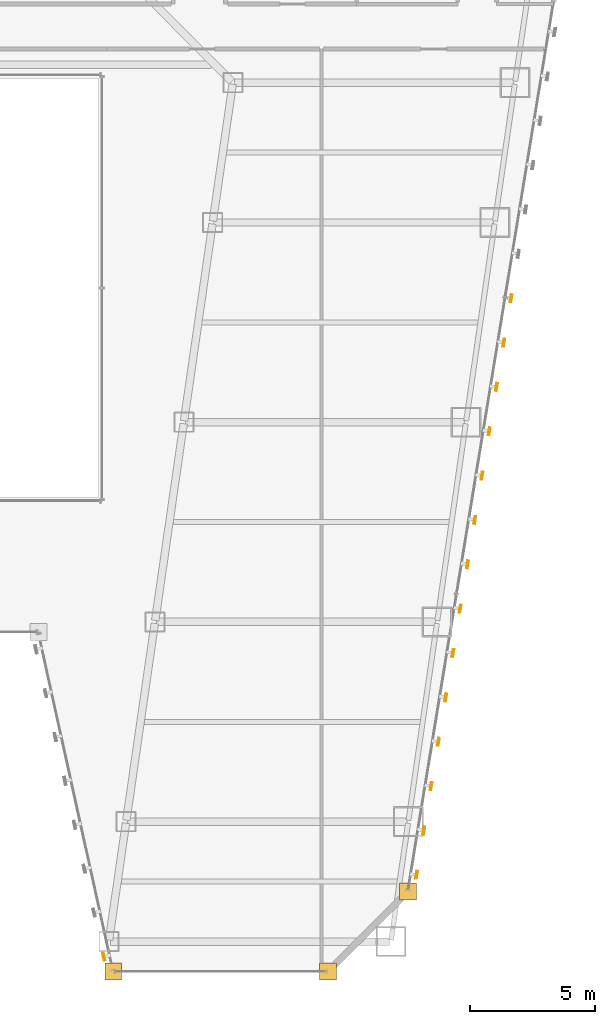
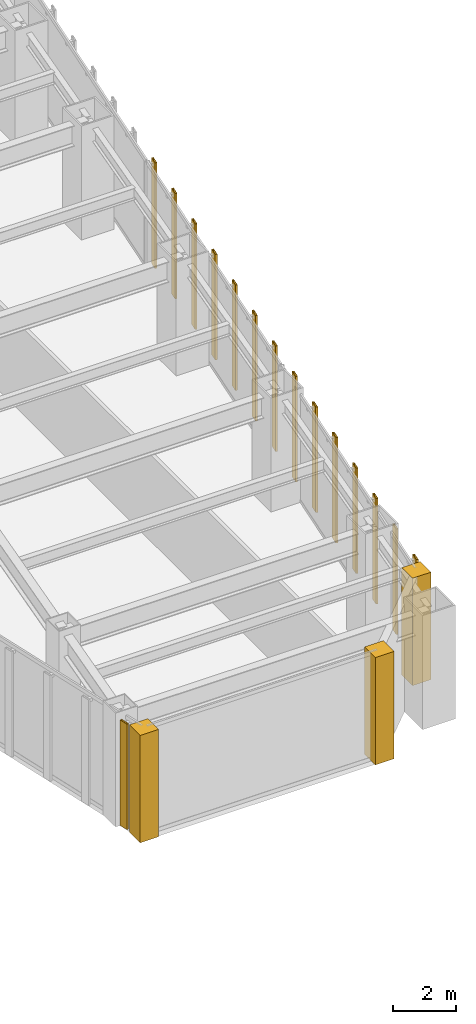
# One storey, part 44 of 47: 15 shading devices, 3 coverings.
"""IFC4 building model written with IfcOpenShell, lengths in metres."""

from ifc_helpers import new_model, si_unit, direction, frame, origin, origin_2d, place, context, subcontext, project, spatial, polyline, hollow_rectangle, outline, extrude, material, layer, layer_set, material_profile, profile_set, type_object, element, save


model = new_model("IFC4")

# Units and contexts
model_context = context("Model", 3, precision=1e-05, world=origin(), true_north=direction((0.0, 1.0)))
body_context = subcontext(model_context, "Body", "Model", "MODEL_VIEW")
ifc_project = project(units=[si_unit("LENGTHUNIT", "METRE"), si_unit("AREAUNIT", "SQUARE_METRE"), si_unit("VOLUMEUNIT", "CUBIC_METRE"), si_unit("PLANEANGLEUNIT", "RADIAN"), si_unit("MASSUNIT", "GRAM", prefix="KILO")], contexts=[model_context])

# Site, building, storey
site_placement = place(None, origin())
site = spatial("IfcSite", under=ifc_project, at=site_placement, CompositionType="ELEMENT")
building_placement = place(site_placement, origin())
building = spatial("IfcBuilding", under=site, at=building_placement, Name="Saevonmaru Cultural Tower", CompositionType="ELEMENT")
storey_placement = place(building_placement, frame((0.0, 0.0, 78.0)))
storey = spatial("IfcBuildingStorey", under=building, at=storey_placement, Name="L16", CompositionType="ELEMENT", Elevation=78.0)

# Coverings
ifc_material = material(Name="Satin Bronze Anodised Aluminium", Category="aluminium")
ifc_layer = layer(ifc_material, 0.679931640625, Name="Satin Bronze Anodised Aluminium")
ifc_layer_set = layer_set([ifc_layer], Name="Satin Bronze Anodised Aluminium")
covering_type = type_object("IfcCoveringType", Name="CV-CORNER-CLAD", PredefinedType="CLADDING", material=ifc_layer_set)
covering_1_placement = place(storey_placement, origin())
element("IfcCovering", 1, at=covering_1_placement, inside=storey, type_object=covering_type, Name="L16 Tower Bronze Corner Cladding Pier 6", PredefinedType="CLADDING", context=body_context, shape_type="SweptSolid", body=[
    extrude(outline(polyline([(36.06005859375, 1.659912109375), (36.739990234375, 1.659912109375), (36.739990234375, 2.340087890625), (36.06005859375, 2.340087890625), (36.06005859375, 1.659912109375)])), origin(), (0.0, 0.0, 1.0), 4.14990234375),
])
covering_2_placement = place(storey_placement, origin())
element("IfcCovering", 2, at=covering_2_placement, inside=storey, type_object=covering_type, Name="L16 Tower Bronze Corner Cladding Pier 7", PredefinedType="CLADDING", context=body_context, shape_type="SweptSolid", body=[
    extrude(outline(polyline([(44.659912109375, 1.659912109375), (45.340087890625, 1.659912109375), (45.340087890625, 2.340087890625), (44.659912109375, 2.340087890625), (44.659912109375, 1.659912109375)])), origin(), (0.0, 0.0, 1.0), 4.14990234375),
])
covering_3_placement = place(storey_placement, origin())
element("IfcCovering", 3, at=covering_3_placement, inside=storey, type_object=covering_type, Name="L16 Tower Bronze Corner Cladding Pier 8", PredefinedType="CLADDING", context=body_context, shape_type="SweptSolid", body=[
    extrude(outline(polyline([(47.860107421875, 4.860107421875), (48.5400390625, 4.860107421875), (48.5400390625, 5.5400390625), (47.860107421875, 5.5400390625), (47.860107421875, 4.860107421875)])), origin(), (0.0, 0.0, 1.0), 4.14990234375),
])

# Shading devices
ifc_material_profile = material_profile(ifc_material, hollow_rectangle(XDim=0.070068359375, YDim=0.320068359375, WallThickness=0.0048828125, at=origin_2d()), Name="FIN-320x70")
ifc_profile_set = profile_set([ifc_material_profile], Name="Satin Bronze Anodised Aluminium")
shading_device_type = type_object("IfcShadingDeviceType", Name="SHD-FIN-320", PredefinedType="JALOUSIE", material=ifc_profile_set)
for number, where, z_axis, x_axis, name in (
    (4, (36.022705078125, 2.59619140625, 0.050048828125), (0.0, 0.0, 1.0), (-0.976522126798, -0.215417120661, 0.0), "L16 Art Deco Sawtooth Bronze Fin E5-08"),
    (5, (48.552978515625, 5.869140625, 0.050048828125), (0.0, 0.0, 1.0), (0.986827496189, -0.161776057456, 0.0), "L16 Art Deco Sawtooth Bronze Fin E8-01"),
    (6, (48.843994140625, 7.6455078125, 0.050048828125), (0.0, 0.0, 1.0), (0.986827496189, -0.161776057456, 0.0), "L16 Art Deco Sawtooth Bronze Fin E8-02"),
    (7, (49.135009765625, 9.421875, 0.050048828125), (0.0, 0.0, 1.0), (0.986827496189, -0.161776057456, 0.0), "L16 Art Deco Sawtooth Bronze Fin E8-03"),
    (8, (49.426025390625, 11.197998046875, 0.050048828125), (0.0, 0.0, 1.0), (0.986827496189, -0.161776057456, 0.0), "L16 Art Deco Sawtooth Bronze Fin E8-04"),
    (9, (49.71728515625, 12.974365234375, 0.050048828125), (0.0, 0.0, 1.0), (0.986827496189, -0.161776057456, 0.0), "L16 Art Deco Sawtooth Bronze Fin E8-05"),
    (10, (50.00830078125, 14.750732421875, 0.050048828125), (0.0, 0.0, 1.0), (0.986827496189, -0.161776057456, 0.0), "L16 Art Deco Sawtooth Bronze Fin E8-06"),
    (11, (50.29931640625, 16.527099609375, 0.050048828125), (0.0, 0.0, 1.0), (0.986827496189, -0.161776057456, 0.0), "L16 Art Deco Sawtooth Bronze Fin E8-07"),
    (12, (50.59033203125, 18.30322265625, 0.050048828125), (0.0, 0.0, 1.0), (0.986827496189, -0.161776057456, 0.0), "L16 Art Deco Sawtooth Bronze Fin E8-08"),
    (13, (50.881591796875, 20.07958984375, 0.050048828125), (0.0, 0.0, 1.0), (0.986827496189, -0.161776057456, 0.0), "L16 Art Deco Sawtooth Bronze Fin E8-09"),
    (14, (51.172607421875, 21.85595703125, 0.050048828125), (0.0, 0.0, 1.0), (0.986827496189, -0.161776057456, 0.0), "L16 Art Deco Sawtooth Bronze Fin E8-10"),
    (15, (51.463623046875, 23.63232421875, 0.050048828125), (0.0, 0.0, 1.0), (0.986827496189, -0.161776057456, 0.0), "L16 Art Deco Sawtooth Bronze Fin E8-11"),
    (16, (51.754638671875, 25.40869140625, 0.050048828125), (0.0, 0.0, 1.0), (0.986827496189, -0.161776057456, 0.0), "L16 Art Deco Sawtooth Bronze Fin E8-12"),
    (17, (52.0458984375, 27.184814453125, 0.050048828125), (0.0, 0.0, 1.0), (0.986827496189, -0.161776057456, 0.0), "L16 Art Deco Sawtooth Bronze Fin E8-13"),
    (18, (52.3369140625, 28.961181640625, 0.050048828125), (0.0, 0.0, 1.0), (0.986827496189, -0.161776057456, 0.0), "L16 Art Deco Sawtooth Bronze Fin E8-14"),
):
    element("IfcShadingDevice", number, at=place(storey_placement, frame(where, z_axis=z_axis, x_axis=x_axis)), inside=storey, type_object=shading_device_type, Name=name, PredefinedType="JALOUSIE", context=body_context, shape_type="SweptSolid", body=[
        extrude(hollow_rectangle(XDim=0.070068359375, YDim=0.320068359375, WallThickness=0.0048828125, at=origin_2d()), origin(), (0.0, 0.0, 1.0), 4.079833984375),
    ])

save(model, "model.ifc")
